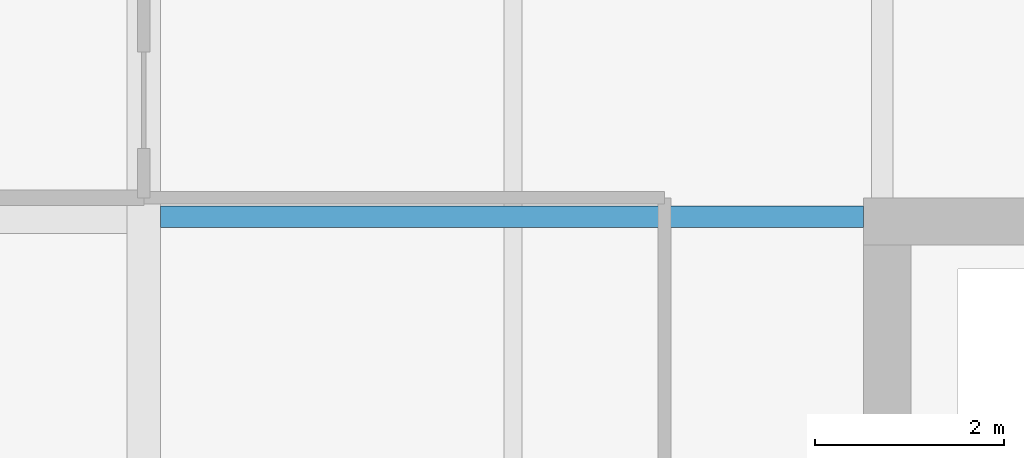
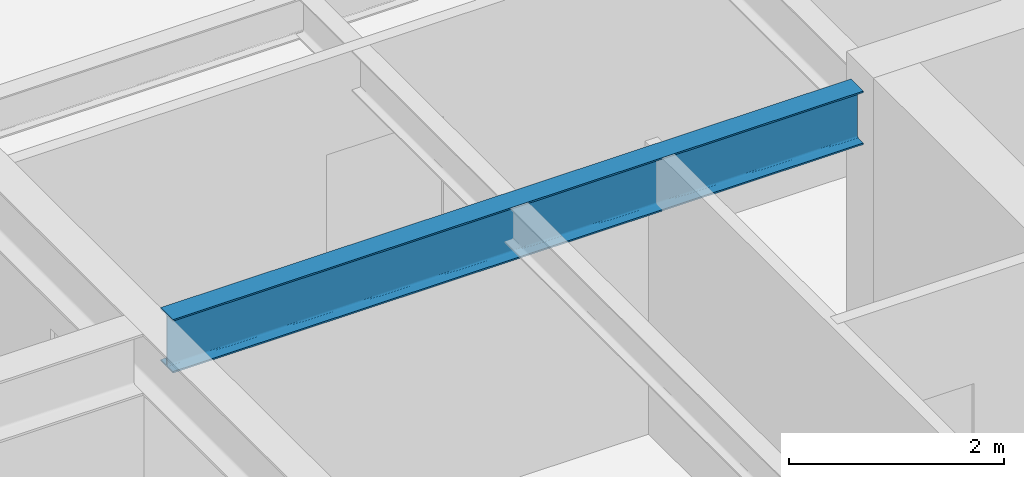
# One storey, part 18 of 33: 1 beam.
"""IFC4 building model written with IfcOpenShell, lengths in metres."""

from ifc_helpers import new_model, si_unit, direction, frame, origin, origin_2d, place, context, subcontext, project, spatial, i_section, extrude, material, material_profile, profile_set, type_object, element, save


model = new_model("IFC4")

# Units and contexts
model_context = context("Model", 3, precision=1e-05, world=origin(), true_north=direction((0.0, 1.0)))
body_context = subcontext(model_context, "Body", "Model", "MODEL_VIEW")
ifc_project = project(units=[si_unit("LENGTHUNIT", "METRE"), si_unit("AREAUNIT", "SQUARE_METRE"), si_unit("VOLUMEUNIT", "CUBIC_METRE"), si_unit("PLANEANGLEUNIT", "RADIAN"), si_unit("MASSUNIT", "GRAM", prefix="KILO")], contexts=[model_context])

# Site, building, storey
site_placement = place(None, origin())
site = spatial("IfcSite", under=ifc_project, at=site_placement, CompositionType="ELEMENT")
building_placement = place(site_placement, origin())
building = spatial("IfcBuilding", under=site, at=building_placement, Name="Drelvath Grand Hotel", CompositionType="ELEMENT")
storey_placement = place(building_placement, frame((0.0, 0.0, 168.14990234375)))
storey = spatial("IfcBuildingStorey", under=building, at=storey_placement, Name="L43", CompositionType="ELEMENT", Elevation=168.14990234375)

# Beam
ifc_material = material(Name="Steel ASTM A992 Gr 50", Category="steel")
ifc_material_profile = material_profile(ifc_material, i_section(OverallWidth=0.228271484375, OverallDepth=0.607666015625, WebThickness=0.01123046875, FlangeThickness=0.017333984375, FilletRadius=0.02001953125, at=origin_2d()), Name="W24X76")
ifc_profile_set = profile_set([ifc_material_profile], Name="Steel ASTM A992 Gr 50")
beam_type = type_object("IfcBeamType", Name="Primary Floor Girder W24X76", PredefinedType="BEAM", material=ifc_profile_set)
beam_placement = place(storey_placement, frame((-16.022705078125, 35.39990234375, 2.986328125), z_axis=(1.0, 0.0, 0.0), x_axis=(0.0, 1.0, 0.0)))
element("IfcBeam", 1, at=beam_placement, inside=storey, type_object=beam_type, Name="L43 West Core Tie F", PredefinedType="BEAM", context=body_context, shape_type="SweptSolid", body=[
    extrude(i_section(OverallWidth=0.228271484375, OverallDepth=0.607666015625, WebThickness=0.01123046875, FlangeThickness=0.017333984375, FilletRadius=0.02001953125, at=origin_2d()), origin(), (0.0, 0.0, 1.0), 7.422607421875),
])

save(model, "model.ifc")
